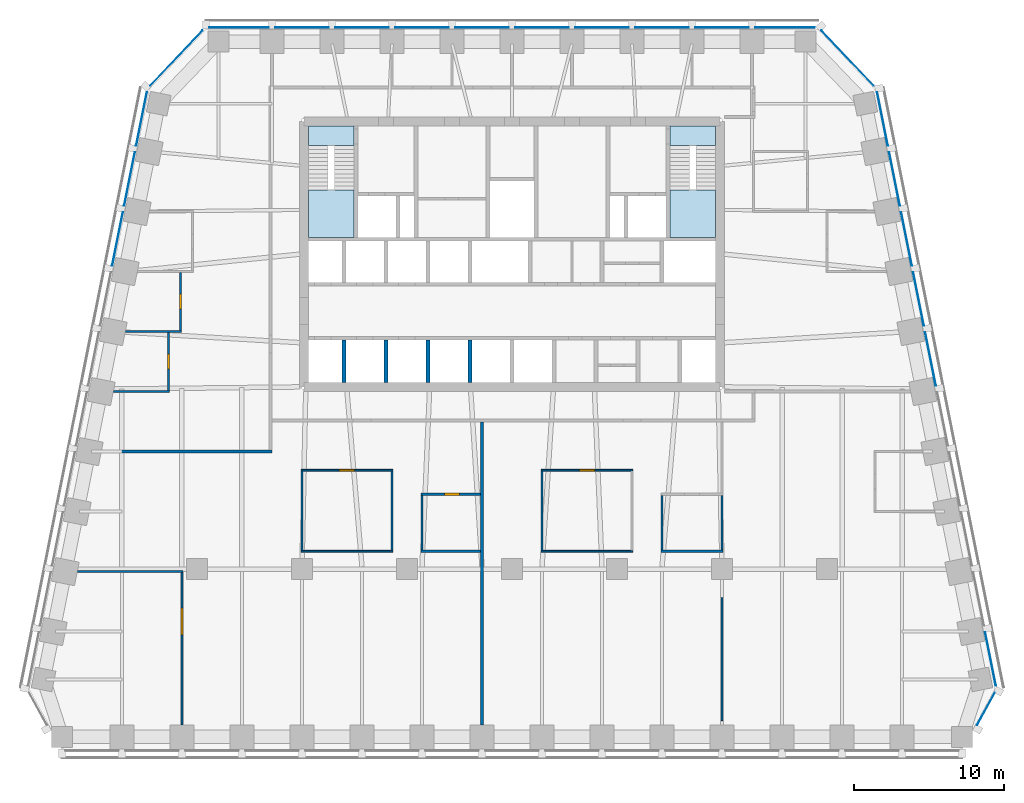
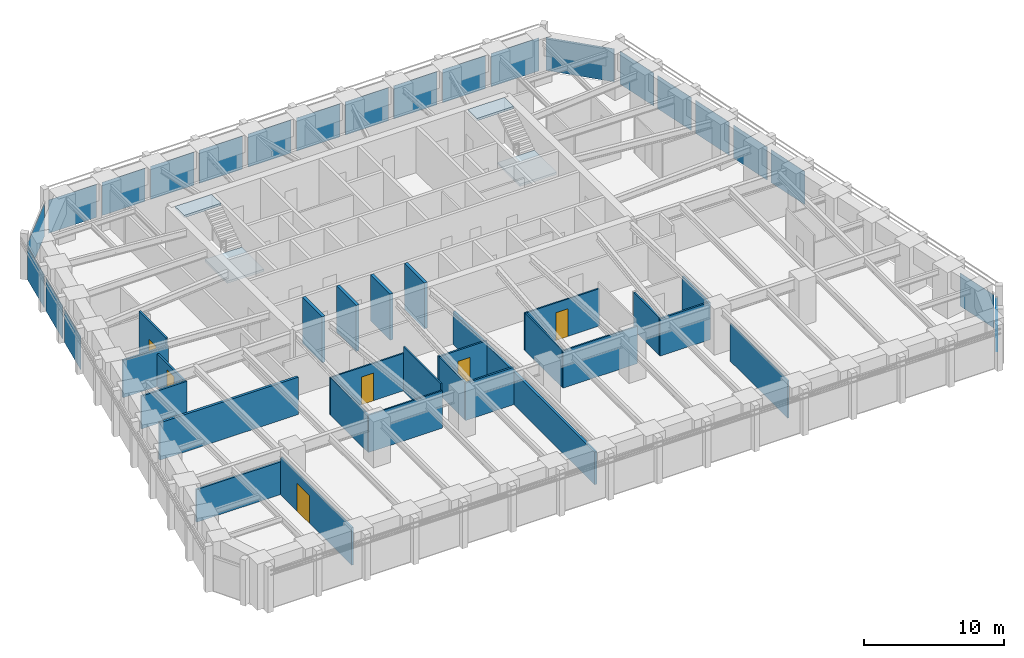
# One storey, part 5 of 10: 26 walls, 22 plates, 6 doors, 4 slabs, 6 openings, 8 elements without a shape of their own.
"""IFC4 building model written with IfcOpenShell, lengths in metres."""

from ifc_helpers import new_model, si_unit, direction, frame, frame_2d, origin, origin_2d, place, context, subcontext, project, spatial, polyline, rectangle, outline, extrude, material, layer, layer_set, type_object, element, fill, aggregate, save


model = new_model("IFC4")

# Units and contexts
model_context = context("Model", 3, precision=1e-05, world=origin(), true_north=direction((0.0, 1.0)))
body_context = subcontext(model_context, "Body", "Model", "MODEL_VIEW")
ifc_project = project(units=[si_unit("LENGTHUNIT", "METRE"), si_unit("AREAUNIT", "SQUARE_METRE"), si_unit("VOLUMEUNIT", "CUBIC_METRE"), si_unit("PLANEANGLEUNIT", "RADIAN"), si_unit("MASSUNIT", "GRAM", prefix="KILO")], contexts=[model_context])

# Site, building, storey
site_placement = place(None, origin())
site = spatial("IfcSite", under=ifc_project, at=site_placement, CompositionType="ELEMENT")
building_placement = place(site_placement, origin())
building = spatial("IfcBuilding", under=site, at=building_placement, Name="Isbrekke Arena Tower", CompositionType="ELEMENT")
storey_placement = place(building_placement, frame((0.0, 0.0, 230.0)))
storey = spatial("IfcBuildingStorey", under=building, at=storey_placement, Name="L53", CompositionType="ELEMENT", Elevation=230.0)

# Curtain wall, plate
ifc_material_1 = material(Name="Glazed aluminium curtain wall", Category="aluminium")
curtain_wall_type = type_object("IfcCurtainWallType", Name="CWH TOWER CURTAIN WALL HIGH ZONE", PredefinedType="USERDEFINED", material=ifc_material_1)
curtain_wall_1_placement = place(storey_placement, origin())
curtain_wall_1 = element("IfcCurtainWall", 1, at=curtain_wall_1_placement, inside=storey, type_object=curtain_wall_type, Name="CWH curtain wall L53-SE", ObjectType="TOWER CURTAIN WALL HIGH ZONE", PredefinedType="USERDEFINED")
ifc_material_2 = material(Name="Triple-glazed clear glass unit", Category="glass")
ifc_layer_1 = layer(ifc_material_2, 0.031982421875)
ifc_layer_set_1 = layer_set([ifc_layer_1], Name="CWH-P VISION PANEL")
plate_type = type_object("IfcPlateType", Name="CWH-P VISION PANEL", PredefinedType="CURTAIN_PANEL", material=ifc_layer_set_1)
plate_1_placement = place(storey_placement, frame((31.5908203125, -15.3154296875, 0.02001953125), z_axis=(0.0, 0.0, 1.0), x_axis=(0.481918749773, 0.876215908676, 0.0)))
plate_1 = element("IfcPlate", 2, at=plate_1_placement, type_object=plate_type, Name="CWH-P panel 1", PredefinedType="CURTAIN_PANEL", context=body_context, shape_type="SweptSolid", body=[
    extrude(rectangle(XDim=2.4423828125, YDim=0.031982421875, at=origin_2d()), origin(), (0.0, 0.0, 1.0), 2.8798828125),
])
aggregate(curtain_wall_1, [plate_1])

# Curtain wall, plates
curtain_wall_2_placement = place(storey_placement, origin())
curtain_wall_2 = element("IfcCurtainWall", 3, at=curtain_wall_2_placement, inside=storey, type_object=curtain_wall_type, Name="CWH curtain wall L53-E", ObjectType="TOWER CURTAIN WALL HIGH ZONE", PredefinedType="USERDEFINED")
plate_2_placement = place(storey_placement, frame((31.89794921875, -11.98046875, 0.02001953125), z_axis=(0.0, 0.0, 1.0), x_axis=(-0.196116135138, 0.980580675691, 0.0)))
plate_2 = element("IfcPlate", 4, at=plate_2_placement, type_object=plate_type, Name="CWH-P panel 1", PredefinedType="CURTAIN_PANEL", context=body_context, shape_type="SweptSolid", body=[
    extrude(rectangle(XDim=3.629150390625, YDim=0.031982421875, at=origin_2d()), origin(), (0.0, 0.0, 1.0), 2.8798828125),
])
plate_3_placement = place(storey_placement, frame((27.89794921875, 8.01953125, 0.02001953125), z_axis=(0.0, 0.0, 1.0), x_axis=(-0.196116135138, 0.980580675691, 0.0)))
plate_3 = element("IfcPlate", 5, at=plate_3_placement, type_object=plate_type, Name="CWH-P panel 6", PredefinedType="CURTAIN_PANEL", context=body_context, shape_type="SweptSolid", body=[
    extrude(rectangle(XDim=3.629150390625, YDim=0.031982421875, at=origin_2d()), origin(), (0.0, 0.0, 1.0), 2.8798828125),
])
plate_4_placement = place(storey_placement, frame((27.09814453125, 12.01953125, 0.02001953125), z_axis=(0.0, 0.0, 1.0), x_axis=(-0.196116135138, 0.980580675691, 0.0)))
plate_4 = element("IfcPlate", 6, at=plate_4_placement, type_object=plate_type, Name="CWH-P panel 7", PredefinedType="CURTAIN_PANEL", context=body_context, shape_type="SweptSolid", body=[
    extrude(rectangle(XDim=3.629150390625, YDim=0.031982421875, at=origin_2d()), origin(), (0.0, 0.0, 1.0), 2.8798828125),
])
plate_5_placement = place(storey_placement, frame((26.298095703125, 16.01953125, 0.02001953125), z_axis=(0.0, 0.0, 1.0), x_axis=(-0.196116135138, 0.980580675691, 0.0)))
plate_5 = element("IfcPlate", 7, at=plate_5_placement, type_object=plate_type, Name="CWH-P panel 8", PredefinedType="CURTAIN_PANEL", context=body_context, shape_type="SweptSolid", body=[
    extrude(rectangle(XDim=3.629150390625, YDim=0.031982421875, at=origin_2d()), origin(), (0.0, 0.0, 1.0), 2.8798828125),
])
plate_6_placement = place(storey_placement, frame((25.498046875, 20.01953125, 0.02001953125), z_axis=(0.0, 0.0, 1.0), x_axis=(-0.196116135138, 0.980580675691, 0.0)))
plate_6 = element("IfcPlate", 8, at=plate_6_placement, type_object=plate_type, Name="CWH-P panel 9", PredefinedType="CURTAIN_PANEL", context=body_context, shape_type="SweptSolid", body=[
    extrude(rectangle(XDim=3.629150390625, YDim=0.031982421875, at=origin_2d()), origin(), (0.0, 0.0, 1.0), 2.8798828125),
])
plate_7_placement = place(storey_placement, frame((24.697998046875, 24.01953125, 0.02001953125), z_axis=(0.0, 0.0, 1.0), x_axis=(-0.196116135138, 0.980580675691, 0.0)))
plate_7 = element("IfcPlate", 9, at=plate_7_placement, type_object=plate_type, Name="CWH-P panel 10", PredefinedType="CURTAIN_PANEL", context=body_context, shape_type="SweptSolid", body=[
    extrude(rectangle(XDim=3.629150390625, YDim=0.031982421875, at=origin_2d()), origin(), (0.0, 0.0, 1.0), 2.8798828125),
])
aggregate(curtain_wall_2, [plate_2, plate_3, plate_4, plate_5, plate_6, plate_7])

# Curtain wall, plate
curtain_wall_3_placement = place(storey_placement, origin())
curtain_wall_3 = element("IfcCurtainWall", 10, at=curtain_wall_3_placement, inside=storey, type_object=curtain_wall_type, Name="CWH curtain wall L53-EN", ObjectType="TOWER CURTAIN WALL HIGH ZONE", PredefinedType="USERDEFINED")
plate_8_placement = place(storey_placement, frame((22.37255859375, 28.06884765625, 0.02001953125), z_axis=(0.0, 0.0, 1.0), x_axis=(-0.68874946192, 0.72499943359, 0.0)))
plate_8 = element("IfcPlate", 11, at=plate_8_placement, type_object=plate_type, Name="CWH-P panel 1", PredefinedType="CURTAIN_PANEL", context=body_context, shape_type="SweptSolid", body=[
    extrude(rectangle(XDim=5.067138671875, YDim=0.031982421875, at=origin_2d()), origin(), (0.0, 0.0, 1.0), 2.8798828125),
])
aggregate(curtain_wall_3, [plate_8])

# Curtain wall, plates
curtain_wall_4_placement = place(storey_placement, origin())
curtain_wall_4 = element("IfcCurtainWall", 12, at=curtain_wall_4_placement, inside=storey, type_object=curtain_wall_type, Name="CWH curtain wall L53-N", ObjectType="TOWER CURTAIN WALL HIGH ZONE", PredefinedType="USERDEFINED")
plate_9_placement = place(storey_placement, frame((18.199951171875, 30.10009765625, 0.02001953125), z_axis=(0.0, 0.0, 1.0), x_axis=(-1.0, 0.0, 0.0)))
plate_9 = element("IfcPlate", 13, at=plate_9_placement, type_object=plate_type, Name="CWH-P panel 1", PredefinedType="CURTAIN_PANEL", context=body_context, shape_type="SweptSolid", body=[
    extrude(rectangle(XDim=3.949951171875, YDim=0.031982421875, at=origin_2d()), origin(), (0.0, 0.0, 1.0), 2.8798828125),
])
plate_10_placement = place(storey_placement, frame((14.0, 30.10009765625, 0.02001953125), z_axis=(0.0, 0.0, 1.0), x_axis=(-1.0, 0.0, 0.0)))
plate_10 = element("IfcPlate", 14, at=plate_10_placement, type_object=plate_type, Name="CWH-P panel 2", PredefinedType="CURTAIN_PANEL", context=body_context, shape_type="SweptSolid", body=[
    extrude(rectangle(XDim=3.550048828125, YDim=0.031982421875, at=origin_2d()), origin(), (0.0, 0.0, 1.0), 2.8798828125),
])
plate_11_placement = place(storey_placement, frame((10.0, 30.10009765625, 0.02001953125), z_axis=(0.0, 0.0, 1.0), x_axis=(-1.0, 0.0, 0.0)))
plate_11 = element("IfcPlate", 15, at=plate_11_placement, type_object=plate_type, Name="CWH-P panel 3", PredefinedType="CURTAIN_PANEL", context=body_context, shape_type="SweptSolid", body=[
    extrude(rectangle(XDim=3.550048828125, YDim=0.031982421875, at=origin_2d()), origin(), (0.0, 0.0, 1.0), 2.8798828125),
])
plate_12_placement = place(storey_placement, frame((6.0, 30.10009765625, 0.02001953125), z_axis=(0.0, 0.0, 1.0), x_axis=(-1.0, 0.0, 0.0)))
plate_12 = element("IfcPlate", 16, at=plate_12_placement, type_object=plate_type, Name="CWH-P panel 4", PredefinedType="CURTAIN_PANEL", context=body_context, shape_type="SweptSolid", body=[
    extrude(rectangle(XDim=3.550048828125, YDim=0.031982421875, at=origin_2d()), origin(), (0.0, 0.0, 1.0), 2.8798828125),
])
plate_13_placement = place(storey_placement, frame((2.0, 30.10009765625, 0.02001953125), z_axis=(0.0, 0.0, 1.0), x_axis=(-1.0, 0.0, 0.0)))
plate_13 = element("IfcPlate", 17, at=plate_13_placement, type_object=plate_type, Name="CWH-P panel 5", PredefinedType="CURTAIN_PANEL", context=body_context, shape_type="SweptSolid", body=[
    extrude(rectangle(XDim=3.550048828125, YDim=0.031982421875, at=origin_2d()), origin(), (0.0, 0.0, 1.0), 2.8798828125),
])
plate_14_placement = place(storey_placement, frame((-2.0, 30.10009765625, 0.02001953125), z_axis=(0.0, 0.0, 1.0), x_axis=(-1.0, 0.0, 0.0)))
plate_14 = element("IfcPlate", 18, at=plate_14_placement, type_object=plate_type, Name="CWH-P panel 6", PredefinedType="CURTAIN_PANEL", context=body_context, shape_type="SweptSolid", body=[
    extrude(rectangle(XDim=3.550048828125, YDim=0.031982421875, at=origin_2d()), origin(), (0.0, 0.0, 1.0), 2.8798828125),
])
plate_15_placement = place(storey_placement, frame((-6.0, 30.10009765625, 0.02001953125), z_axis=(0.0, 0.0, 1.0), x_axis=(-1.0, 0.0, 0.0)))
plate_15 = element("IfcPlate", 19, at=plate_15_placement, type_object=plate_type, Name="CWH-P panel 7", PredefinedType="CURTAIN_PANEL", context=body_context, shape_type="SweptSolid", body=[
    extrude(rectangle(XDim=3.550048828125, YDim=0.031982421875, at=origin_2d()), origin(), (0.0, 0.0, 1.0), 2.8798828125),
])
plate_16_placement = place(storey_placement, frame((-10.0, 30.10009765625, 0.02001953125), z_axis=(0.0, 0.0, 1.0), x_axis=(-1.0, 0.0, 0.0)))
plate_16 = element("IfcPlate", 20, at=plate_16_placement, type_object=plate_type, Name="CWH-P panel 8", PredefinedType="CURTAIN_PANEL", context=body_context, shape_type="SweptSolid", body=[
    extrude(rectangle(XDim=3.550048828125, YDim=0.031982421875, at=origin_2d()), origin(), (0.0, 0.0, 1.0), 2.8798828125),
])
plate_17_placement = place(storey_placement, frame((-14.0, 30.10009765625, 0.02001953125), z_axis=(0.0, 0.0, 1.0), x_axis=(-1.0, 0.0, 0.0)))
plate_17 = element("IfcPlate", 21, at=plate_17_placement, type_object=plate_type, Name="CWH-P panel 9", PredefinedType="CURTAIN_PANEL", context=body_context, shape_type="SweptSolid", body=[
    extrude(rectangle(XDim=3.550048828125, YDim=0.031982421875, at=origin_2d()), origin(), (0.0, 0.0, 1.0), 2.8798828125),
])
plate_18_placement = place(storey_placement, frame((-18.199951171875, 30.10009765625, 0.02001953125), z_axis=(0.0, 0.0, 1.0), x_axis=(-1.0, 0.0, 0.0)))
plate_18 = element("IfcPlate", 22, at=plate_18_placement, type_object=plate_type, Name="CWH-P panel 10", PredefinedType="CURTAIN_PANEL", context=body_context, shape_type="SweptSolid", body=[
    extrude(rectangle(XDim=3.949951171875, YDim=0.031982421875, at=origin_2d()), origin(), (0.0, 0.0, 1.0), 2.8798828125),
])
aggregate(curtain_wall_4, [plate_9, plate_10, plate_11, plate_12, plate_13, plate_14, plate_15, plate_16, plate_17, plate_18])

# Curtain wall, plate
curtain_wall_5_placement = place(storey_placement, origin())
curtain_wall_5 = element("IfcCurtainWall", 23, at=curtain_wall_5_placement, inside=storey, type_object=curtain_wall_type, Name="CWH curtain wall L53-NW", ObjectType="TOWER CURTAIN WALL HIGH ZONE", PredefinedType="USERDEFINED")
plate_19_placement = place(storey_placement, frame((-22.37255859375, 28.06884765625, 0.02001953125), z_axis=(0.0, 0.0, 1.0), x_axis=(-0.68874946192, -0.72499943359, 0.0)))
plate_19 = element("IfcPlate", 24, at=plate_19_placement, type_object=plate_type, Name="CWH-P panel 1", PredefinedType="CURTAIN_PANEL", context=body_context, shape_type="SweptSolid", body=[
    extrude(rectangle(XDim=5.067138671875, YDim=0.031982421875, at=origin_2d()), origin(), (0.0, 0.0, 1.0), 2.8798828125),
])
aggregate(curtain_wall_5, [plate_19])

# Curtain wall, plates
curtain_wall_6_placement = place(storey_placement, origin())
curtain_wall_6 = element("IfcCurtainWall", 25, at=curtain_wall_6_placement, inside=storey, type_object=curtain_wall_type, Name="CWH curtain wall L53-W", ObjectType="TOWER CURTAIN WALL HIGH ZONE", PredefinedType="USERDEFINED")
plate_20_placement = place(storey_placement, frame((-24.697998046875, 24.01953125, 0.02001953125), z_axis=(0.0, 0.0, 1.0), x_axis=(-0.196116135138, -0.980580675691, 0.0)))
plate_20 = element("IfcPlate", 26, at=plate_20_placement, type_object=plate_type, Name="CWH-P panel 1", PredefinedType="CURTAIN_PANEL", context=body_context, shape_type="SweptSolid", body=[
    extrude(rectangle(XDim=3.629150390625, YDim=0.031982421875, at=origin_2d()), origin(), (0.0, 0.0, 1.0), 2.8798828125),
])
plate_21_placement = place(storey_placement, frame((-25.498046875, 20.01953125, 0.02001953125), z_axis=(0.0, 0.0, 1.0), x_axis=(-0.196116135138, -0.980580675691, 0.0)))
plate_21 = element("IfcPlate", 27, at=plate_21_placement, type_object=plate_type, Name="CWH-P panel 2", PredefinedType="CURTAIN_PANEL", context=body_context, shape_type="SweptSolid", body=[
    extrude(rectangle(XDim=3.629150390625, YDim=0.031982421875, at=origin_2d()), origin(), (0.0, 0.0, 1.0), 2.8798828125),
])
plate_22_placement = place(storey_placement, frame((-26.298095703125, 16.01953125, 0.02001953125), z_axis=(0.0, 0.0, 1.0), x_axis=(-0.196116135138, -0.980580675691, 0.0)))
plate_22 = element("IfcPlate", 28, at=plate_22_placement, type_object=plate_type, Name="CWH-P panel 3", PredefinedType="CURTAIN_PANEL", context=body_context, shape_type="SweptSolid", body=[
    extrude(rectangle(XDim=3.629150390625, YDim=0.031982421875, at=origin_2d()), origin(), (0.0, 0.0, 1.0), 2.8798828125),
])
aggregate(curtain_wall_6, [plate_20, plate_21, plate_22])

# Stair, slabs
ifc_material_3 = material(Name="Concrete B45 (C45/55) precast", Category="concrete")
stair_type = type_object("IfcStairType", Name="ST40 STAIR 1300 WIDE, 24 RISERS 167", PredefinedType="HALF_TURN_STAIR", material=ifc_material_3)
stair_1_placement = place(storey_placement, origin())
stair_1 = element("IfcStair", 29, at=stair_1_placement, inside=storey, type_object=stair_type, Name="ST1 stair L53", PredefinedType="HALF_TURN_STAIR")
ifc_material_4 = material(Name="Concrete B35 (C35/45)", Category="concrete")
ifc_layer_2 = layer(ifc_material_4, 0.199951171875)
ifc_layer_set_2 = layer_set([ifc_layer_2], Name="SL1 STAIR LANDING 200")
slab_type = type_object("IfcSlabType", Name="SL1 STAIR LANDING 200", PredefinedType="LANDING", material=ifc_layer_set_2)
slab_1_placement = place(storey_placement, frame((0.0, 0.0, 1.800048828125)))
slab_1 = element("IfcSlab", 30, at=slab_1_placement, type_object=slab_type, Name="ST1 landing 1", PredefinedType="LANDING", context=body_context, shape_type="SweptSolid", body=[
    extrude(outline(polyline([(-13.550048828125, 16.125), (-10.52490234375, 16.125), (-10.52490234375, 19.280029296875), (-13.550048828125, 19.280029296875), (-13.550048828125, 16.125)])), origin(), (0.0, 0.0, 1.0), 0.199951171875),
])
slab_2_placement = place(storey_placement, frame((0.0, 0.0, 3.800048828125)))
slab_2 = element("IfcSlab", 31, at=slab_2_placement, type_object=slab_type, Name="ST1 landing 2", PredefinedType="LANDING", context=body_context, shape_type="SweptSolid", body=[
    extrude(outline(polyline([(-13.550048828125, 22.25), (-10.52490234375, 22.25), (-10.52490234375, 23.550048828125), (-13.550048828125, 23.550048828125), (-13.550048828125, 22.25)])), origin(), (0.0, 0.0, 1.0), 0.199951171875),
])
aggregate(stair_1, [slab_1, slab_2])

stair_2_placement = place(storey_placement, origin())
stair_2 = element("IfcStair", 32, at=stair_2_placement, inside=storey, type_object=stair_type, Name="ST2 stair L53", PredefinedType="HALF_TURN_STAIR")
slab_3_placement = place(storey_placement, frame((0.0, 0.0, 1.800048828125)))
slab_3 = element("IfcSlab", 33, at=slab_3_placement, type_object=slab_type, Name="ST2 landing 1", PredefinedType="LANDING", context=body_context, shape_type="SweptSolid", body=[
    extrude(outline(polyline([(10.52490234375, 16.125), (13.550048828125, 16.125), (13.550048828125, 19.280029296875), (10.52490234375, 19.280029296875), (10.52490234375, 16.125)])), origin(), (0.0, 0.0, 1.0), 0.199951171875),
])
slab_4_placement = place(storey_placement, frame((0.0, 0.0, 3.800048828125)))
slab_4 = element("IfcSlab", 34, at=slab_4_placement, type_object=slab_type, Name="ST2 landing 2", PredefinedType="LANDING", context=body_context, shape_type="SweptSolid", body=[
    extrude(outline(polyline([(10.52490234375, 22.25), (13.550048828125, 22.25), (13.550048828125, 23.550048828125), (10.52490234375, 23.550048828125), (10.52490234375, 22.25)])), origin(), (0.0, 0.0, 1.0), 0.199951171875),
])
aggregate(stair_2, [slab_3, slab_4])

# Walls
ifc_material_5 = material(Name="Concrete B45 (C45/55)", Category="concrete")
ifc_layer_3 = layer(ifc_material_5, 0.25)
ifc_layer_set_3 = layer_set([ifc_layer_3], Name="CW6 SHAFT WALL 250")
wall_type_1 = type_object("IfcWallType", Name="CW6 SHAFT WALL 250", PredefinedType="SHEAR", material=ifc_layer_set_3)
for number, where, z_axis, x_axis, name in (
    (35, (-11.199951171875, 6.449951171875, 0.0), (0.0, 0.0, 1.0), (0.0, 1.0, 0.0), "Core wall SS01 L53"),
    (36, (-8.39990234375, 6.449951171875, 0.0), (0.0, 0.0, 1.0), (0.0, 1.0, 0.0), "Core wall SS02 L53"),
    (37, (-5.60009765625, 6.449951171875, 0.0), (0.0, 0.0, 1.0), (0.0, 1.0, 0.0), "Core wall SS03 L53"),
    (38, (-2.800048828125, 6.449951171875, 0.0), (0.0, 0.0, 1.0), (0.0, 1.0, 0.0), "Core wall SS04 L53"),
):
    element("IfcWall", number, at=place(storey_placement, frame(where, z_axis=z_axis, x_axis=x_axis)), inside=storey, type_object=wall_type_1, Name=name, PredefinedType="SHEAR", context=body_context, shape_type="SweptSolid", body=[
        extrude(rectangle(XDim=2.824951171875, YDim=0.25, at=frame_2d((1.41259765625, 0.0))), origin(), (0.0, 0.0, 1.0), 4.0),
    ])
ifc_material_6 = material(Name="Gypsum board partition on steel studs", Category="steel")
ifc_layer_4 = layer(ifc_material_6, 0.14990234375)
ifc_layer_set_4 = layer_set([ifc_layer_4], Name="IW1 PARTITION 150")
wall_type_2 = type_object("IfcWallType", Name="IW1 PARTITION 150", PredefinedType="PARTITIONING", material=ifc_layer_set_4)
wall_1_placement = place(storey_placement, frame((-28.974853515625, -6.159912109375, 0.0), z_axis=(0.0, 0.0, 1.0), x_axis=(1.0, 0.0, 0.0)))
element("IfcWall", 39, at=wall_1_placement, inside=storey, type_object=wall_type_2, Name="IW1 partition 150 L53", PredefinedType="PARTITIONING", context=body_context, shape_type="SweptSolid", body=[
    extrude(rectangle(XDim=7.0498046875, YDim=0.14990234375, at=frame_2d((3.52490234375, 0.0))), origin(), (0.0, 0.0, 1.0), 2.842041015625),
])
wall_2_placement = place(storey_placement, frame((-6.074951171875, -4.800048828125, 0.0), z_axis=(0.0, 0.0, 1.0), x_axis=(1.0, 0.0, 0.0)))
element("IfcWall", 40, at=wall_2_placement, inside=storey, type_object=wall_type_2, Name="IW1 partition 150 L53", PredefinedType="PARTITIONING", context=body_context, shape_type="SweptSolid", body=[
    extrude(rectangle(XDim=3.974853515625, YDim=0.14990234375, at=frame_2d((1.9873046875, 0.0))), origin(), (0.0, 0.0, 1.0), 3.25),
])
wall_3_placement = place(storey_placement, frame((9.925048828125, -4.800048828125, 0.0), z_axis=(0.0, 0.0, 1.0), x_axis=(1.0, 0.0, 0.0)))
element("IfcWall", 41, at=wall_3_placement, inside=storey, type_object=wall_type_2, Name="IW1 partition 150 L53", PredefinedType="PARTITIONING", context=body_context, shape_type="SweptSolid", body=[
    extrude(rectangle(XDim=4.14990234375, YDim=0.14990234375, at=frame_2d((2.074951171875, 0.0))), origin(), (0.0, 0.0, 1.0), 3.25),
])

# Wall, opening, door
wall_4_placement = place(storey_placement, frame((-6.074951171875, -1.0, 0.0), z_axis=(0.0, 0.0, 1.0), x_axis=(1.0, 0.0, 0.0)))
wall_4 = element("IfcWall", 42, at=wall_4_placement, inside=storey, type_object=wall_type_2, Name="IW1 partition 150 L53", PredefinedType="PARTITIONING", context=body_context, shape_type="SweptSolid", body=[
    extrude(rectangle(XDim=3.974853515625, YDim=0.14990234375, at=frame_2d((1.9873046875, 0.0))), origin(), (0.0, 0.0, 1.0), 3.25),
])
opening_1_placement = place(wall_4_placement, frame((1.574951171875, 0.0, 0.0)))
opening_1 = element("IfcOpeningElement", 43, at=opening_1_placement, cuts=wall_4, Name="Opening D10", PredefinedType="OPENING", context=body_context, shape_type="SweptSolid", body=[
    extrude(rectangle(XDim=1.0, YDim=2.300048828125, at=frame_2d((0.5, 1.14990234375))), frame((0.0, 0.08984375, 0.0), z_axis=(0.0, -1.0, 0.0), x_axis=(1.0, 0.0, 0.0)), (0.0, 0.0, 1.0), 0.1796875),
])
ifc_material_7 = material(Name="Timber door", Category="wood")
door_type_1 = type_object("IfcDoorType", Name="D10 OFFICE DOOR 1000 x 2300", OperationType="SINGLE_SWING_LEFT", PredefinedType="DOOR", material=ifc_material_7)
door_1_placement = place(opening_1_placement, origin())
door_1 = element("IfcDoor", 44, at=door_1_placement, inside=storey, type_object=door_type_1, Name="D10 tea point door L53", OperationType="SINGLE_SWING_LEFT", OverallHeight=2.300048828125, OverallWidth=1.0, PredefinedType="DOOR", context=body_context, shape_type="SweptSolid", body=[
    extrude(rectangle(XDim=1.0, YDim=2.300048828125, at=frame_2d((0.5, 1.14990234375))), frame((0.0, 0.07470703125, 0.0), z_axis=(0.0, -1.0, 0.0), x_axis=(1.0, 0.0, 0.0)), (0.0, 0.0, 1.0), 0.1494140625),
])
fill(opening_1, door_1)

# Walls
wall_5_placement = place(storey_placement, frame((-26.57470703125, 5.840087890625, 0.0), z_axis=(0.0, 0.0, 1.0), x_axis=(1.0, 0.0, 0.0)))
element("IfcWall", 45, at=wall_5_placement, inside=storey, type_object=wall_type_2, Name="IW1 partition 150 L53", PredefinedType="PARTITIONING", context=body_context, shape_type="SweptSolid", body=[
    extrude(rectangle(XDim=3.749755859375, YDim=0.14990234375, at=frame_2d((1.875, 0.0))), origin(), (0.0, 0.0, 1.0), 2.842041015625),
])
wall_6_placement = place(storey_placement, frame((-25.77490234375, 9.840087890625, 0.0), z_axis=(0.0, 0.0, 1.0), x_axis=(1.0, 0.0, 0.0)))
element("IfcWall", 46, at=wall_6_placement, inside=storey, type_object=wall_type_2, Name="IW1 partition 150 L53", PredefinedType="PARTITIONING", context=body_context, shape_type="SweptSolid", body=[
    extrude(rectangle(XDim=3.75, YDim=0.14990234375, at=frame_2d((1.875, 0.0))), origin(), (0.0, 0.0, 1.0), 3.25),
])

# Wall, opening, door
wall_7_placement = place(storey_placement, frame((-22.89990234375, 5.9150390625, 0.0), z_axis=(0.0, 0.0, 1.0), x_axis=(0.0, 1.0, 0.0)))
wall_7 = element("IfcWall", 47, at=wall_7_placement, inside=storey, type_object=wall_type_2, Name="IW1 partition 150 L53", PredefinedType="PARTITIONING", context=body_context, shape_type="SweptSolid", body=[
    extrude(rectangle(XDim=3.849853515625, YDim=0.14990234375, at=frame_2d((1.9248046875, 0.0))), origin(), (0.0, 0.0, 1.0), 2.842041015625),
])
opening_2_placement = place(wall_7_placement, frame((1.425048828125, 0.0, 0.0)))
opening_2 = element("IfcOpeningElement", 48, at=opening_2_placement, cuts=wall_7, Name="Opening D10", PredefinedType="OPENING", context=body_context, shape_type="SweptSolid", body=[
    extrude(rectangle(XDim=1.0, YDim=2.300048828125, at=frame_2d((0.5, 1.14990234375))), frame((0.0, 0.08984375, 0.0), z_axis=(0.0, -1.0, 0.0), x_axis=(1.0, 0.0, 0.0)), (0.0, 0.0, 1.0), 0.1796875),
])
door_2_placement = place(opening_2_placement, origin())
door_2 = element("IfcDoor", 49, at=door_2_placement, inside=storey, type_object=door_type_1, Name="D10 office door L53", OperationType="SINGLE_SWING_LEFT", OverallHeight=2.300048828125, OverallWidth=1.0, PredefinedType="DOOR", context=body_context, shape_type="SweptSolid", body=[
    extrude(rectangle(XDim=1.0, YDim=2.300048828125, at=frame_2d((0.5, 1.14990234375))), frame((0.0, 0.07470703125, 0.0), z_axis=(0.0, -1.0, 0.0), x_axis=(1.0, 0.0, 0.0)), (0.0, 0.0, 1.0), 0.1494140625),
])
fill(opening_2, door_2)

wall_8_placement = place(storey_placement, frame((-22.10009765625, 9.9150390625, 0.0), z_axis=(0.0, 0.0, 1.0), x_axis=(0.0, 1.0, 0.0)))
wall_8 = element("IfcWall", 50, at=wall_8_placement, inside=storey, type_object=wall_type_2, Name="IW1 partition 150 L53", PredefinedType="PARTITIONING", context=body_context, shape_type="SweptSolid", body=[
    extrude(rectangle(XDim=3.849853515625, YDim=0.14990234375, at=frame_2d((1.9248046875, 0.0))), origin(), (0.0, 0.0, 1.0), 3.85009765625),
])
opening_3_placement = place(wall_8_placement, frame((1.425048828125, 0.0, 0.0)))
opening_3 = element("IfcOpeningElement", 51, at=opening_3_placement, cuts=wall_8, Name="Opening D10", PredefinedType="OPENING", context=body_context, shape_type="SweptSolid", body=[
    extrude(rectangle(XDim=1.0, YDim=2.300048828125, at=frame_2d((0.5, 1.14990234375))), frame((0.0, 0.08984375, 0.0), z_axis=(0.0, -1.0, 0.0), x_axis=(1.0, 0.0, 0.0)), (0.0, 0.0, 1.0), 0.1796875),
])
door_3_placement = place(opening_3_placement, origin())
door_3 = element("IfcDoor", 52, at=door_3_placement, inside=storey, type_object=door_type_1, Name="D10 office door L53", OperationType="SINGLE_SWING_LEFT", OverallHeight=2.300048828125, OverallWidth=1.0, PredefinedType="DOOR", context=body_context, shape_type="SweptSolid", body=[
    extrude(rectangle(XDim=1.0, YDim=2.300048828125, at=frame_2d((0.5, 1.14990234375))), frame((0.0, 0.07470703125, 0.0), z_axis=(0.0, -1.0, 0.0), x_axis=(1.0, 0.0, 0.0)), (0.0, 0.0, 1.0), 0.1494140625),
])
fill(opening_3, door_3)

wall_9_placement = place(storey_placement, frame((-22.0, -16.375, 0.0), z_axis=(0.0, 0.0, 1.0), x_axis=(0.0, 1.0, 0.0)))
wall_9 = element("IfcWall", 53, at=wall_9_placement, inside=storey, type_object=wall_type_2, Name="IW1 partition 150 L53", PredefinedType="PARTITIONING", context=body_context, shape_type="SweptSolid", body=[
    extrude(rectangle(XDim=10.139892578125, YDim=0.14990234375, at=frame_2d((5.06982421875, 0.0))), origin(), (0.0, 0.0, 1.0), 3.25),
])
opening_4_placement = place(wall_9_placement, frame((5.97509765625, 0.0, 0.0)))
opening_4 = element("IfcOpeningElement", 54, at=opening_4_placement, cuts=wall_9, Name="Opening D13", PredefinedType="OPENING", context=body_context, shape_type="SweptSolid", body=[
    extrude(rectangle(XDim=1.800048828125, YDim=2.39990234375, at=frame_2d((0.89990234375, 1.199951171875))), frame((0.0, 0.08984375, 0.0), z_axis=(0.0, -1.0, 0.0), x_axis=(1.0, 0.0, 0.0)), (0.0, 0.0, 1.0), 0.1796875),
])
ifc_material_8 = material(Name="Timber door pair", Category="wood")
door_type_2 = type_object("IfcDoorType", Name="D13 DOUBLE ROOM DOOR 1800 x 2400", OperationType="DOUBLE_DOOR_SINGLE_SWING", PredefinedType="DOOR", material=ifc_material_8)
door_4_placement = place(opening_4_placement, origin())
door_4 = element("IfcDoor", 55, at=door_4_placement, inside=storey, type_object=door_type_2, Name="D13 office door L53", OperationType="DOUBLE_DOOR_SINGLE_SWING", OverallHeight=2.39990234375, OverallWidth=1.800048828125, PredefinedType="DOOR", context=body_context, shape_type="SweptSolid", body=[
    extrude(rectangle(XDim=1.800048828125, YDim=2.39990234375, at=frame_2d((0.89990234375, 1.199951171875))), frame((0.0, 0.07470703125, 0.0), z_axis=(0.0, -1.0, 0.0), x_axis=(1.0, 0.0, 0.0)), (0.0, 0.0, 1.0), 0.1494140625),
])
fill(opening_4, door_4)

# Walls
for number, where, z_axis, x_axis, name in (
    (56, (-6.0, -4.72509765625, 0.0), (0.0, 0.0, 1.0), (0.0, 1.0, 0.0), "IW1 partition 150 L53"),
    (57, (10.0, -4.72509765625, 0.0), (0.0, 0.0, 1.0), (0.0, 1.0, 0.0), "IW1 partition 150 L53"),
    (58, (14.0, -4.72509765625, 0.0), (0.0, 0.0, 1.0), (0.0, 1.0, 0.0), "IW1 partition 150 L53"),
):
    element("IfcWall", number, at=place(storey_placement, frame(where, z_axis=z_axis, x_axis=x_axis)), inside=storey, type_object=wall_type_2, Name=name, PredefinedType="PARTITIONING", context=body_context, shape_type="SweptSolid", body=[
        extrude(rectangle(XDim=3.650146484375, YDim=0.14990234375, at=frame_2d((1.8251953125, 0.0))), origin(), (0.0, 0.0, 1.0), 3.25),
    ])
ifc_material_9 = material(Name="Frameless glazed partition, laminated acoustic glass", Category="glass")
ifc_layer_5 = layer(ifc_material_9, 0.1201171875)
ifc_layer_set_5 = layer_set([ifc_layer_5], Name="IW2 GLAZED PARTITION 120")
wall_type_3 = type_object("IfcWallType", Name="IW2 GLAZED PARTITION 120", PredefinedType="PARTITIONING", material=ifc_layer_set_5)
for number, where, z_axis, x_axis, name in (
    (59, (-14.06005859375, -4.800048828125, 0.0), (0.0, 0.0, 1.0), (1.0, 0.0, 0.0), "IW2 glazed partition 120 L53"),
    (60, (1.93994140625, -4.800048828125, 0.0), (0.0, 0.0, 1.0), (1.0, 0.0, 0.0), "IW2 glazed partition 120 L53"),
):
    element("IfcWall", number, at=place(storey_placement, frame(where, z_axis=z_axis, x_axis=x_axis)), inside=storey, type_object=wall_type_3, Name=name, PredefinedType="PARTITIONING", context=body_context, shape_type="SweptSolid", body=[
        extrude(rectangle(XDim=6.1201171875, YDim=0.1201171875, at=frame_2d((3.06005859375, 0.0))), origin(), (0.0, 0.0, 1.0), 3.25),
    ])

# Wall, opening, door
wall_10_placement = place(storey_placement, frame((-14.06005859375, 0.60009765625, 0.0), z_axis=(0.0, 0.0, 1.0), x_axis=(1.0, 0.0, 0.0)))
wall_10 = element("IfcWall", 61, at=wall_10_placement, inside=storey, type_object=wall_type_3, Name="IW2 glazed partition 120 L53", PredefinedType="PARTITIONING", context=body_context, shape_type="SweptSolid", body=[
    extrude(rectangle(XDim=6.1201171875, YDim=0.1201171875, at=frame_2d((3.06005859375, 0.0))), origin(), (0.0, 0.0, 1.0), 3.25),
])
opening_5_placement = place(wall_10_placement, frame((2.56005859375, 0.0, 0.0)))
opening_5 = element("IfcOpeningElement", 62, at=opening_5_placement, cuts=wall_10, Name="Opening D11", PredefinedType="OPENING", context=body_context, shape_type="SweptSolid", body=[
    extrude(rectangle(XDim=1.0, YDim=2.39990234375, at=frame_2d((0.5, 1.199951171875))), frame((0.0, 0.074951171875, 0.0), z_axis=(0.0, -1.0, 0.0), x_axis=(1.0, 0.0, 0.0)), (0.0, 0.0, 1.0), 0.14990234375),
])
ifc_material_10 = material(Name="Frameless glazed door", Category="glass")
door_type_3 = type_object("IfcDoorType", Name="D11 GLAZED MEETING ROOM DOOR 1000 x 2400", OperationType="SINGLE_SWING_RIGHT", PredefinedType="DOOR", material=ifc_material_10)
door_5_placement = place(opening_5_placement, origin())
door_5 = element("IfcDoor", 63, at=door_5_placement, inside=storey, type_object=door_type_3, Name="D11 meeting room door L53", OperationType="SINGLE_SWING_RIGHT", OverallHeight=2.39990234375, OverallWidth=1.0, PredefinedType="DOOR", context=body_context, shape_type="SweptSolid", body=[
    extrude(rectangle(XDim=1.0, YDim=2.39990234375, at=frame_2d((0.5, 1.199951171875))), frame((0.0, 0.059814453125, 0.0), z_axis=(0.0, -1.0, 0.0), x_axis=(1.0, 0.0, 0.0)), (0.0, 0.0, 1.0), 0.11962890625),
])
fill(opening_5, door_5)

wall_11_placement = place(storey_placement, frame((1.93994140625, 0.60009765625, 0.0), z_axis=(0.0, 0.0, 1.0), x_axis=(1.0, 0.0, 0.0)))
wall_11 = element("IfcWall", 64, at=wall_11_placement, inside=storey, type_object=wall_type_3, Name="IW2 glazed partition 120 L53", PredefinedType="PARTITIONING", context=body_context, shape_type="SweptSolid", body=[
    extrude(rectangle(XDim=6.1201171875, YDim=0.1201171875, at=frame_2d((3.06005859375, 0.0))), origin(), (0.0, 0.0, 1.0), 3.25),
])
opening_6_placement = place(wall_11_placement, frame((2.56005859375, 0.0, 0.0)))
opening_6 = element("IfcOpeningElement", 65, at=opening_6_placement, cuts=wall_11, Name="Opening D11", PredefinedType="OPENING", context=body_context, shape_type="SweptSolid", body=[
    extrude(rectangle(XDim=1.0, YDim=2.39990234375, at=frame_2d((0.5, 1.199951171875))), frame((0.0, 0.074951171875, 0.0), z_axis=(0.0, -1.0, 0.0), x_axis=(1.0, 0.0, 0.0)), (0.0, 0.0, 1.0), 0.14990234375),
])
door_6_placement = place(opening_6_placement, origin())
door_6 = element("IfcDoor", 66, at=door_6_placement, inside=storey, type_object=door_type_3, Name="D11 meeting room door L53", OperationType="SINGLE_SWING_RIGHT", OverallHeight=2.39990234375, OverallWidth=1.0, PredefinedType="DOOR", context=body_context, shape_type="SweptSolid", body=[
    extrude(rectangle(XDim=1.0, YDim=2.39990234375, at=frame_2d((0.5, 1.199951171875))), frame((0.0, 0.059814453125, 0.0), z_axis=(0.0, -1.0, 0.0), x_axis=(1.0, 0.0, 0.0)), (0.0, 0.0, 1.0), 0.11962890625),
])
fill(opening_6, door_6)

# Walls
wall_12_placement = place(storey_placement, frame((-14.0, -4.739990234375, 0.0), z_axis=(0.0, 0.0, 1.0), x_axis=(0.0, 1.0, 0.0)))
element("IfcWall", 67, at=wall_12_placement, inside=storey, type_object=wall_type_3, Name="IW2 glazed partition 120 L53", PredefinedType="PARTITIONING", context=body_context, shape_type="SweptSolid", body=[
    extrude(rectangle(XDim=5.280029296875, YDim=0.1201171875, at=frame_2d((2.64013671875, 0.0))), origin(), (0.0, 0.0, 1.0), 3.25),
])
wall_13_placement = place(storey_placement, frame((-8.0, -4.739990234375, 0.0), z_axis=(0.0, 0.0, 1.0), x_axis=(0.0, 1.0, 0.0)))
element("IfcWall", 68, at=wall_13_placement, inside=storey, type_object=wall_type_3, Name="IW2 glazed partition 120 L53", PredefinedType="PARTITIONING", context=body_context, shape_type="SweptSolid", body=[
    extrude(rectangle(XDim=5.280029296875, YDim=0.1201171875, at=frame_2d((2.64013671875, 0.0))), origin(), (0.0, 0.0, 1.0), 3.85009765625),
])
wall_14_placement = place(storey_placement, frame((2.0, -4.739990234375, 0.0), z_axis=(0.0, 0.0, 1.0), x_axis=(0.0, 1.0, 0.0)))
element("IfcWall", 69, at=wall_14_placement, inside=storey, type_object=wall_type_3, Name="IW2 glazed partition 120 L53", PredefinedType="PARTITIONING", context=body_context, shape_type="SweptSolid", body=[
    extrude(rectangle(XDim=5.280029296875, YDim=0.1201171875, at=frame_2d((2.64013671875, 0.0))), origin(), (0.0, 0.0, 1.0), 3.25),
])
wall_15_placement = place(storey_placement, frame((14.0009765625, -16.10009765625, 0.0), z_axis=(0.0, 0.0, 1.0), x_axis=(0.0, 1.0, 0.0)))
element("IfcWall", 70, at=wall_15_placement, inside=storey, type_object=wall_type_3, Name="IW2 glazed partition 120 L53", PredefinedType="PARTITIONING", context=body_context, shape_type="SweptSolid", body=[
    extrude(rectangle(XDim=8.2001953125, YDim=0.1201171875, at=frame_2d((4.10009765625, 0.0))), origin(), (0.0, 0.0, 1.0), 3.25),
])
ifc_material_11 = material(Name="Gypsum board fire-cell wall on steel studs, two layers each side", Category="steel")
ifc_layer_6 = layer(ifc_material_11, 0.199951171875)
ifc_layer_set_6 = layer_set([ifc_layer_6], Name="IW3 FIRE-CELL WALL 200")
wall_type_4 = type_object("IfcWallType", Name="IW3 FIRE-CELL WALL 200", PredefinedType="PARTITIONING", material=ifc_layer_set_6)
wall_16_placement = place(storey_placement, frame((-27.374755859375, 1.840087890625, 0.0), z_axis=(0.0, 0.0, 1.0), x_axis=(1.0, 0.0, 0.0)))
element("IfcWall", 71, at=wall_16_placement, inside=storey, type_object=wall_type_4, Name="IW3 fire-cell wall 200 L53", PredefinedType="PARTITIONING", context=body_context, shape_type="SweptSolid", body=[
    extrude(rectangle(XDim=11.374755859375, YDim=0.199951171875, at=frame_2d((5.6875, 0.0))), origin(), (0.0, 0.0, 1.0), 3.25),
])
wall_17_placement = place(storey_placement, frame((-2.0, -16.375, 0.0), z_axis=(0.0, 0.0, 1.0), x_axis=(0.0, 1.0, 0.0)))
element("IfcWall", 72, at=wall_17_placement, inside=storey, type_object=wall_type_4, Name="IW3 fire-cell wall 200 L53", PredefinedType="PARTITIONING", context=body_context, shape_type="SweptSolid", body=[
    extrude(rectangle(XDim=20.175048828125, YDim=0.199951171875, at=frame_2d((10.08740234375, 0.0))), origin(), (0.0, 0.0, 1.0), 2.842041015625),
])

save(model, "model.ifc")
